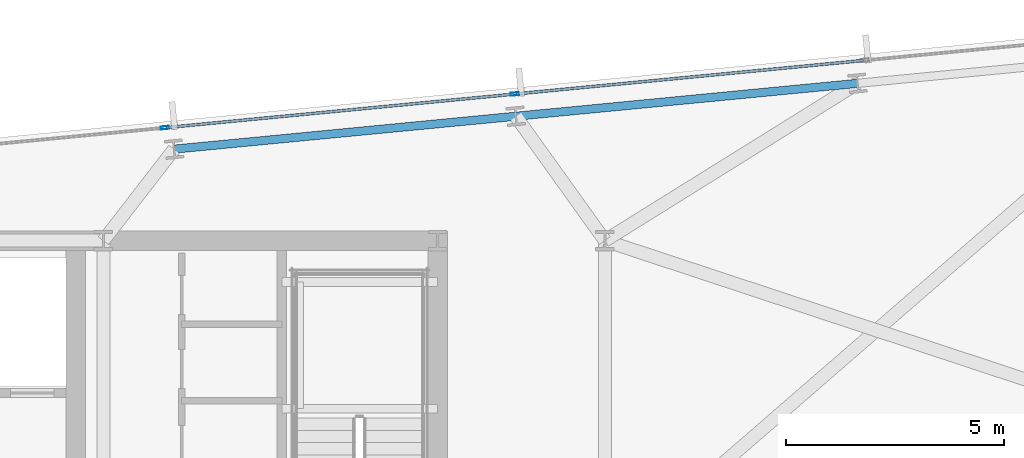
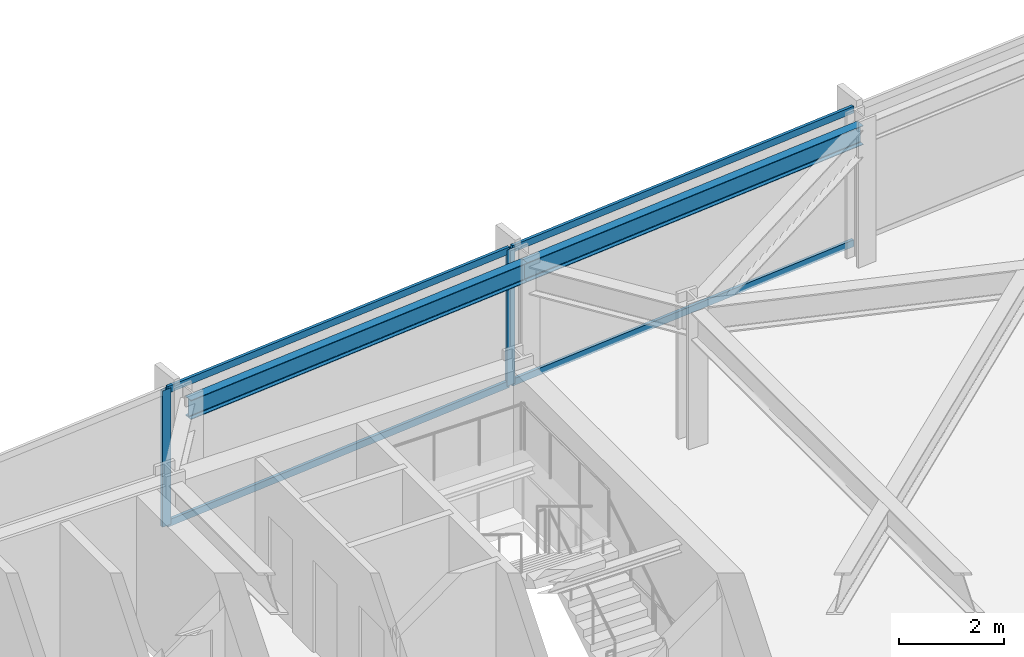
# One storey, part 21 of 32: 6 members, 2 beams, 1 element without a shape of its own.
"""IFC4 building model written with IfcOpenShell, lengths in metres."""

from ifc_helpers import new_model, si_unit, direction, frame, origin, origin_2d, place, context, subcontext, project, spatial, hollow_rectangle, i_section, extrude, material, material_profile, profile_set, type_object, element, aggregate, save


model = new_model("IFC4")

# Units and contexts
model_context = context("Model", 3, precision=1e-05, world=origin(), true_north=direction((0.0, 1.0)))
body_context = subcontext(model_context, "Body", "Model", "MODEL_VIEW")
ifc_project = project(units=[si_unit("LENGTHUNIT", "METRE"), si_unit("AREAUNIT", "SQUARE_METRE"), si_unit("VOLUMEUNIT", "CUBIC_METRE"), si_unit("PLANEANGLEUNIT", "RADIAN"), si_unit("MASSUNIT", "GRAM", prefix="KILO")], contexts=[model_context])

# Site, building, storey
site_placement = place(None, origin())
site = spatial("IfcSite", under=ifc_project, at=site_placement, CompositionType="ELEMENT")
building_placement = place(site_placement, origin())
building = spatial("IfcBuilding", under=site, at=building_placement, Name="Yelkora Congress Tower", CompositionType="ELEMENT")
storey_placement = place(building_placement, frame((0.0, 0.0, 103.300048828125)))
storey = spatial("IfcBuildingStorey", under=building, at=storey_placement, Name="L27", CompositionType="ELEMENT", Elevation=103.300048828125)

# Beams
ifc_material_1 = material(Name="Steel S355J2", Category="steel")
ifc_material_profile_1 = material_profile(ifc_material_1, i_section(OverallWidth=0.18994140625, OverallDepth=0.449951171875, WebThickness=0.009521484375, FlangeThickness=0.0146484375, FilletRadius=0.02099609375, at=origin_2d()), Name="IPE 450")
ifc_profile_set_1 = profile_set([ifc_material_profile_1], Name="Steel S355J2")
beam_type = type_object("IfcBeamType", Name="BM-SPAN-IPE450", PredefinedType="SPANDREL", material=ifc_profile_set_1)
for number, where, z_axis, x_axis, name in (
    (1, (63.4033203125, 49.81201171875, 2.954833984375), (-0.995398529126, -0.09582154358, 0.0), (0.09582154358, -0.995398529126, 0.0), "L27 Perimeter Beam 15"),
    (2, (55.553955078125, 49.056396484375, 2.954833984375), (-0.995395575667, -0.095852219286, 0.0), (0.095852219286, -0.995395575667, 0.0), "L27 Perimeter Beam 16"),
):
    element("IfcBeam", number, at=place(storey_placement, frame(where, z_axis=z_axis, x_axis=x_axis)), inside=storey, type_object=beam_type, Name=name, PredefinedType="SPANDREL", context=body_context, shape_type="SweptSolid", body=[
        extrude(i_section(OverallWidth=0.18994140625, OverallDepth=0.449951171875, WebThickness=0.009521484375, FlangeThickness=0.0146484375, FilletRadius=0.02099609375, at=origin_2d()), origin(), (0.0, 0.0, 1.0), 7.8857421875),
    ])

# Curtain wall, members
ifc_material_2 = material(Name="Anodised aluminium and insulated glass", Category="aluminium")
curtain_wall_type = type_object("IfcCurtainWallType", Name="CW-SYS-B2", PredefinedType="NOTDEFINED", material=ifc_material_2)
curtain_wall_placement = place(storey_placement, origin())
curtain_wall = element("IfcCurtainWall", 3, at=curtain_wall_placement, inside=storey, type_object=curtain_wall_type, Name="L27 Unitised Curtain Wall 10 (3)", PredefinedType="NOTDEFINED")
ifc_material_3 = material(Name="Anodised aluminium 6063-T6", Category="aluminium")
ifc_material_profile_2 = material_profile(ifc_material_3, hollow_rectangle(XDim=0.070068359375, YDim=0.18994140625, WallThickness=0.00390625, at=origin_2d()), Name="ALU 70x190x4")
ifc_profile_set_2 = profile_set([ifc_material_profile_2], Name="Anodised aluminium 6063-T6")
member_type_1 = type_object("IfcMemberType", Name="MEM-ML-B2", PredefinedType="MULLION", material=ifc_profile_set_2)
member_1_placement = place(storey_placement, frame((47.491943359375, 48.79248046875, 0.0), z_axis=(0.0, 0.0, 1.0), x_axis=(-0.095844238468, 0.995396344153, 0.0)))
member_1 = element("IfcMember", 4, at=member_1_placement, type_object=member_type_1, Name="CW-B2 mullion 4", PredefinedType="MULLION", context=body_context, shape_type="SweptSolid", body=[
    extrude(hollow_rectangle(XDim=0.070068359375, YDim=0.18994140625, WallThickness=0.00390625, at=origin_2d()), origin(), (0.0, 0.0, 1.0), 3.179931640625),
])
member_2_placement = place(storey_placement, frame((55.531982421875, 49.566650390625, 0.0), z_axis=(0.0, 0.0, 1.0), x_axis=(-0.095844238468, 0.995396344153, 0.0)))
member_2 = element("IfcMember", 5, at=member_2_placement, type_object=member_type_1, Name="CW-B2 mullion 5", PredefinedType="MULLION", context=body_context, shape_type="SweptSolid", body=[
    extrude(hollow_rectangle(XDim=0.070068359375, YDim=0.18994140625, WallThickness=0.00390625, at=origin_2d()), origin(), (0.0, 0.0, 1.0), 3.179931640625),
])
ifc_material_profile_3 = material_profile(ifc_material_3, hollow_rectangle(XDim=0.06494140625, YDim=0.159912109375, WallThickness=0.00390625, at=origin_2d()), Name="ALU 65x160x4")
ifc_profile_set_3 = profile_set([ifc_material_profile_3], Name="Anodised aluminium 6063-T6")
member_type_2 = type_object("IfcMemberType", Name="MEM-TR-B2", PredefinedType="USERDEFINED", material=ifc_profile_set_3)
member_3_placement = place(storey_placement, frame((47.52685546875, 48.7958984375, 0.032470703125), z_axis=(0.995397513894, 0.095832089266, 0.0), x_axis=(-0.095832089266, 0.995397513894, 0.0)))
member_3 = element("IfcMember", 6, at=member_3_placement, type_object=member_type_2, Name="CW-B2 transom 4.1", ObjectType="TRANSOM", PredefinedType="USERDEFINED", context=body_context, shape_type="SweptSolid", body=[
    extrude(hollow_rectangle(XDim=0.06494140625, YDim=0.159912109375, WallThickness=0.00390625, at=origin_2d()), origin(), (0.0, 0.0, 1.0), 8.007080078125),
])
member_4_placement = place(storey_placement, frame((47.52685546875, 48.7958984375, 3.1474609375), z_axis=(0.995397513894, 0.095832089266, 0.0), x_axis=(-0.095832089266, 0.995397513894, 0.0)))
member_4 = element("IfcMember", 7, at=member_4_placement, type_object=member_type_2, Name="CW-B2 transom 4.2", ObjectType="TRANSOM", PredefinedType="USERDEFINED", context=body_context, shape_type="SweptSolid", body=[
    extrude(hollow_rectangle(XDim=0.06494140625, YDim=0.159912109375, WallThickness=0.00390625, at=origin_2d()), origin(), (0.0, 0.0, 1.0), 8.007080078125),
])
member_5_placement = place(storey_placement, frame((55.566650390625, 49.570068359375, 0.032470703125), z_axis=(0.995397793901, 0.09582918082, 0.0), x_axis=(-0.09582918082, 0.995397793901, 0.0)))
member_5 = element("IfcMember", 8, at=member_5_placement, type_object=member_type_2, Name="CW-B2 transom 5.1", ObjectType="TRANSOM", PredefinedType="USERDEFINED", context=body_context, shape_type="SweptSolid", body=[
    extrude(hollow_rectangle(XDim=0.06494140625, YDim=0.159912109375, WallThickness=0.00390625, at=origin_2d()), origin(), (0.0, 0.0, 1.0), 8.00732421875),
])
member_6_placement = place(storey_placement, frame((55.566650390625, 49.570068359375, 3.1474609375), z_axis=(0.995397793901, 0.09582918082, 0.0), x_axis=(-0.09582918082, 0.995397793901, 0.0)))
member_6 = element("IfcMember", 9, at=member_6_placement, type_object=member_type_2, Name="CW-B2 transom 5.2", ObjectType="TRANSOM", PredefinedType="USERDEFINED", context=body_context, shape_type="SweptSolid", body=[
    extrude(hollow_rectangle(XDim=0.06494140625, YDim=0.159912109375, WallThickness=0.00390625, at=origin_2d()), origin(), (0.0, 0.0, 1.0), 8.00732421875),
])
aggregate(curtain_wall, [member_1, member_2, member_3, member_4, member_5, member_6])

save(model, "model.ifc")
